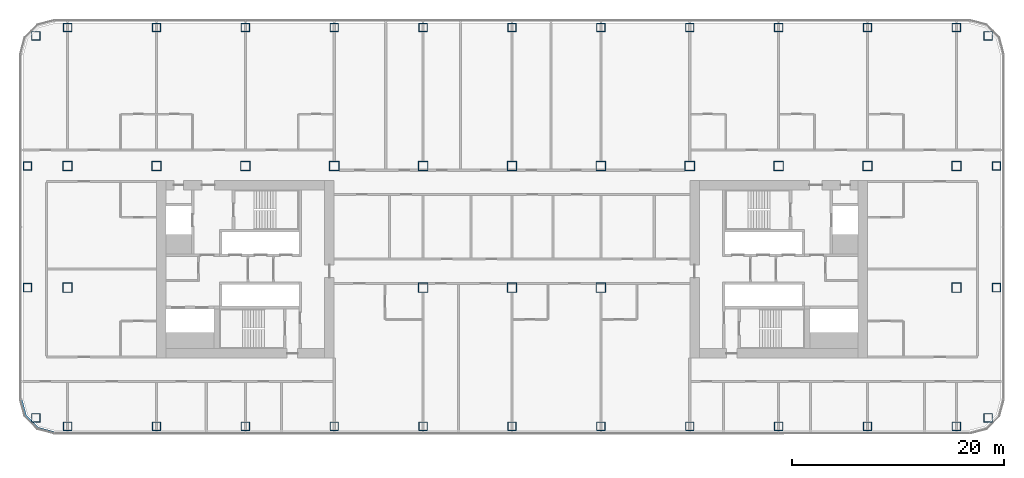
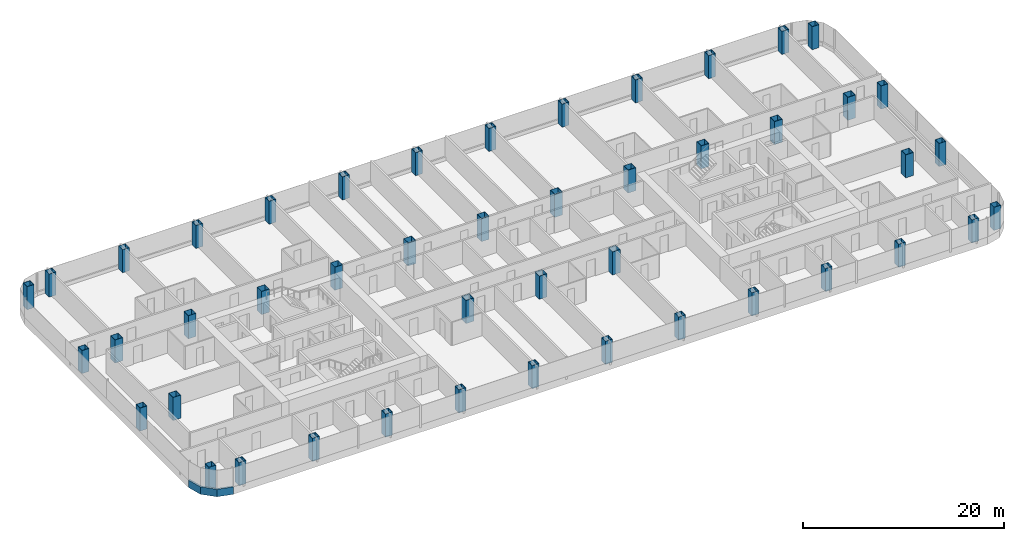
# One storey, part 1 of 29: 46 columns, 1 member, 1 element without a shape of its own.
"""IFC4 building model written with IfcOpenShell, lengths in metres."""

from ifc_helpers import new_model, si_unit, direction, frame, origin, origin_2d, place, context, subcontext, project, spatial, polyline, rectangle, hollow_rectangle, outline, extrude, material, layer, layer_set, material_profile, profile_set, type_object, element, aggregate, save


model = new_model("IFC4")

# Units and contexts
model_context = context("Model", 3, precision=1e-05, world=origin(), true_north=direction((0.0, 1.0)))
body_context = subcontext(model_context, "Body", "Model", "MODEL_VIEW")
ifc_project = project(units=[si_unit("LENGTHUNIT", "METRE"), si_unit("AREAUNIT", "SQUARE_METRE"), si_unit("VOLUMEUNIT", "CUBIC_METRE"), si_unit("PLANEANGLEUNIT", "RADIAN"), si_unit("MASSUNIT", "GRAM", prefix="KILO")], contexts=[model_context])

# Site, building, storey
site_placement = place(None, origin())
site = spatial("IfcSite", under=ifc_project, at=site_placement, CompositionType="ELEMENT")
building_placement = place(site_placement, origin())
building = spatial("IfcBuilding", under=site, at=building_placement, Name="Hakoniwa Tower and Hamabe Station Hall", CompositionType="ELEMENT")
storey_placement = place(building_placement, frame((0.0, 0.0, 75.39990234375)))
storey = spatial("IfcBuildingStorey", under=building, at=storey_placement, Name="L20", CompositionType="ELEMENT", Elevation=75.39990234375)

# Columns
ifc_material_1 = material(Name="Steel SN490C", Category="steel")
ifc_material_profile_1 = material_profile(ifc_material_1, hollow_rectangle(XDim=0.800048828125, YDim=0.800048828125, WallThickness=0.031982421875, at=origin_2d()), Name="BX-800x800x32")
ifc_profile_set_1 = profile_set([ifc_material_profile_1], Name="Steel SN490C")
column_type_1 = type_object("IfcColumnType", Name="COLUMN BX-800x800x32", PredefinedType="COLUMN", material=ifc_profile_set_1)
for number, where, z_axis, x_axis, name in (
    (1, (-45.003173828125, -14.052978515625, 0.0), (0.0, 0.0, 1.0), (1.0, 0.0, 0.0), "Column B2-EW-A2"),
    (2, (-45.800048828125, -1.75, 0.0), (0.0, 0.0, 1.0), (1.0, 0.0, 0.0), "Column B2-EW-C2"),
    (3, (-45.800048828125, 9.75, 0.0), (0.0, 0.0, 1.0), (1.0, 0.0, 0.0), "Column B2-EW-E2"),
    (4, (-45.003173828125, 22.052978515625, 0.0), (0.0, 0.0, 1.0), (1.0, 0.0, 0.0), "Column B2-EW-G2"),
    (5, (-42.0, -14.85009765625, 0.0), (0.0, 0.0, 1.0), (1.0, 0.0, 0.0), "Column B2-2-A2"),
    (6, (-42.0, 22.85009765625, 0.0), (0.0, 0.0, 1.0), (1.0, 0.0, 0.0), "Column B2-2-G2"),
    (7, (-33.60009765625, -14.85009765625, 0.0), (0.0, 0.0, 1.0), (1.0, 0.0, 0.0), "Column B2-3-A2"),
    (8, (-33.60009765625, 22.85009765625, 0.0), (0.0, 0.0, 1.0), (1.0, 0.0, 0.0), "Column B2-3-G2"),
    (9, (-25.199951171875, -14.85009765625, 0.0), (0.0, 0.0, 1.0), (1.0, 0.0, 0.0), "Column B2-4-A2"),
    (10, (-25.199951171875, 22.85009765625, 0.0), (0.0, 0.0, 1.0), (1.0, 0.0, 0.0), "Column B2-4-G2"),
    (11, (-16.800048828125, -14.85009765625, 0.0), (0.0, 0.0, 1.0), (1.0, 0.0, 0.0), "Column B2-5-A2"),
    (12, (-16.800048828125, 22.85009765625, 0.0), (0.0, 0.0, 1.0), (1.0, 0.0, 0.0), "Column B2-5-G2"),
    (13, (-8.39990234375, -14.85009765625, 0.0), (0.0, 0.0, 1.0), (1.0, 0.0, 0.0), "Column B2-6-A2"),
    (14, (-8.39990234375, 22.85009765625, 0.0), (0.0, 0.0, 1.0), (1.0, 0.0, 0.0), "Column B2-6-G2"),
    (15, (0.0, -14.85009765625, 0.0), (0.0, 0.0, 1.0), (1.0, 0.0, 0.0), "Column B2-7-A2"),
    (16, (0.0, 22.85009765625, 0.0), (0.0, 0.0, 1.0), (1.0, 0.0, 0.0), "Column B2-7-G2"),
    (17, (8.39990234375, -14.85009765625, 0.0), (0.0, 0.0, 1.0), (1.0, 0.0, 0.0), "Column B2-8-A2"),
    (18, (8.39990234375, 22.85009765625, 0.0), (0.0, 0.0, 1.0), (1.0, 0.0, 0.0), "Column B2-8-G2"),
    (19, (16.800048828125, -14.85009765625, 0.0), (0.0, 0.0, 1.0), (1.0, 0.0, 0.0), "Column B2-9-A2"),
    (20, (16.800048828125, 22.85009765625, 0.0), (0.0, 0.0, 1.0), (1.0, 0.0, 0.0), "Column B2-9-G2"),
    (21, (25.199951171875, -14.85009765625, 0.0), (0.0, 0.0, 1.0), (1.0, 0.0, 0.0), "Column B2-10-A2"),
    (22, (25.199951171875, 22.85009765625, 0.0), (0.0, 0.0, 1.0), (1.0, 0.0, 0.0), "Column B2-10-G2"),
    (23, (33.60009765625, -14.85009765625, 0.0), (0.0, 0.0, 1.0), (1.0, 0.0, 0.0), "Column B2-11-A2"),
    (24, (33.60009765625, 22.85009765625, 0.0), (0.0, 0.0, 1.0), (1.0, 0.0, 0.0), "Column B2-11-G2"),
    (25, (42.0, -14.85009765625, 0.0), (0.0, 0.0, 1.0), (1.0, 0.0, 0.0), "Column B2-12-A2"),
    (26, (42.0, 22.85009765625, 0.0), (0.0, 0.0, 1.0), (1.0, 0.0, 0.0), "Column B2-12-G2"),
    (27, (45.003173828125, -14.052978515625, 0.0), (0.0, 0.0, 1.0), (1.0, 0.0, 0.0), "Column B2-EE-A2"),
    (28, (45.800048828125, -1.75, 0.0), (0.0, 0.0, 1.0), (1.0, 0.0, 0.0), "Column B2-EE-C2"),
    (29, (45.800048828125, 9.75, 0.0), (0.0, 0.0, 1.0), (1.0, 0.0, 0.0), "Column B2-EE-E2"),
    (30, (45.003173828125, 22.052978515625, 0.0), (0.0, 0.0, 1.0), (1.0, 0.0, 0.0), "Column B2-EE-G2"),
):
    element("IfcColumn", number, at=place(storey_placement, frame(where, z_axis=z_axis, x_axis=x_axis)), inside=storey, type_object=column_type_1, Name=name, PredefinedType="COLUMN", context=body_context, shape_type="SweptSolid", body=[
        extrude(hollow_rectangle(XDim=0.800048828125, YDim=0.800048828125, WallThickness=0.031982421875, at=origin_2d()), origin(), (0.0, 0.0, 1.0), 2.800048828125),
    ])
ifc_material_2 = material(Name="Steel SN490C", Category="steel")
ifc_material_profile_2 = material_profile(ifc_material_2, hollow_rectangle(XDim=0.89990234375, YDim=0.89990234375, WallThickness=0.035888671875, at=origin_2d()), Name="BX-900x900x36")
ifc_profile_set_2 = profile_set([ifc_material_profile_2], Name="Steel SN490C")
column_type_2 = type_object("IfcColumnType", Name="COLUMN BX-900x900x36", PredefinedType="COLUMN", material=ifc_profile_set_2)
for number, where, z_axis, x_axis, name in (
    (31, (-42.0, -1.75, 0.0), (0.0, 0.0, 1.0), (1.0, 0.0, 0.0), "Column B2-2-C2"),
    (32, (-42.0, 9.75, 0.0), (0.0, 0.0, 1.0), (1.0, 0.0, 0.0), "Column B2-2-E2"),
    (33, (-33.60009765625, 9.75, 0.0), (0.0, 0.0, 1.0), (1.0, 0.0, 0.0), "Column B2-3-E2"),
    (34, (-25.199951171875, 9.75, 0.0), (0.0, 0.0, 1.0), (1.0, 0.0, 0.0), "Column B2-4-E2"),
    (35, (-16.800048828125, 9.75, 0.0), (0.0, 0.0, 1.0), (1.0, 0.0, 0.0), "Column B2-5-E2"),
    (36, (-8.39990234375, -1.75, 0.0), (0.0, 0.0, 1.0), (1.0, 0.0, 0.0), "Column B2-6-C2"),
    (37, (-8.39990234375, 9.75, 0.0), (0.0, 0.0, 1.0), (1.0, 0.0, 0.0), "Column B2-6-E2"),
    (38, (0.0, -1.75, 0.0), (0.0, 0.0, 1.0), (1.0, 0.0, 0.0), "Column B2-7-C2"),
    (39, (0.0, 9.75, 0.0), (0.0, 0.0, 1.0), (1.0, 0.0, 0.0), "Column B2-7-E2"),
    (40, (8.39990234375, -1.75, 0.0), (0.0, 0.0, 1.0), (1.0, 0.0, 0.0), "Column B2-8-C2"),
    (41, (8.39990234375, 9.75, 0.0), (0.0, 0.0, 1.0), (1.0, 0.0, 0.0), "Column B2-8-E2"),
    (42, (16.800048828125, 9.75, 0.0), (0.0, 0.0, 1.0), (1.0, 0.0, 0.0), "Column B2-9-E2"),
    (43, (25.199951171875, 9.75, 0.0), (0.0, 0.0, 1.0), (1.0, 0.0, 0.0), "Column B2-10-E2"),
    (44, (33.60009765625, 9.75, 0.0), (0.0, 0.0, 1.0), (1.0, 0.0, 0.0), "Column B2-11-E2"),
    (45, (42.0, -1.75, 0.0), (0.0, 0.0, 1.0), (1.0, 0.0, 0.0), "Column B2-12-C2"),
    (46, (42.0, 9.75, 0.0), (0.0, 0.0, 1.0), (1.0, 0.0, 0.0), "Column B2-12-E2"),
):
    element("IfcColumn", number, at=place(storey_placement, frame(where, z_axis=z_axis, x_axis=x_axis)), inside=storey, type_object=column_type_2, Name=name, PredefinedType="COLUMN", context=body_context, shape_type="SweptSolid", body=[
        extrude(hollow_rectangle(XDim=0.89990234375, YDim=0.89990234375, WallThickness=0.035888671875, at=origin_2d()), origin(), (0.0, 0.0, 1.0), 2.800048828125),
    ])

# Curtain wall, member
ifc_material_3 = material(Name="Dark low-e laminated glass", Category="glass")
ifc_layer = layer(ifc_material_3, 0.199951171875)
ifc_layer_set = layer_set([ifc_layer], Name="CW-1 UNITISED GUEST")
curtain_wall_type = type_object("IfcCurtainWallType", Name="CW-1 UNITISED GUEST", PredefinedType="NOTDEFINED", material=ifc_layer_set)
curtain_wall_placement = place(storey_placement, origin())
curtain_wall = element("IfcCurtainWall", 47, at=curtain_wall_placement, inside=storey, type_object=curtain_wall_type, Name="CW-1 curtain wall", PredefinedType="NOTDEFINED")
ifc_material_4 = material(Name="Aluminium 6063-T5 black anodised", Category="aluminium")
ifc_material_profile_3 = material_profile(ifc_material_4, rectangle(XDim=0.199951171875, YDim=0.89990234375, at=origin_2d()), Name="CW SLAB-EDGE BAND 900X200")
ifc_profile_set_3 = profile_set([ifc_material_profile_3], Name="Aluminium 6063-T5 black anodised")
member_type = type_object("IfcMemberType", Name="CW SLAB-EDGE BAND 900X200", PredefinedType="USERDEFINED", material=ifc_profile_set_3)
member_placement = place(storey_placement, frame((0.0, 0.0, -0.5498046875)))
member = element("IfcMember", 48, at=member_placement, type_object=member_type, Name="CW-1 transom", ObjectType="TRANSOM", PredefinedType="USERDEFINED", context=body_context, shape_type="SweptSolid", body=[
    extrude(outline(polyline([(-46.5, -12.28955078125), (-46.067138671875, -13.9052734375), (-44.855224609375, -15.116943359375), (-43.239501953125, -15.550048828125), (-43.187744140625, -15.35693359375), (-44.751708984375, -14.937744140625), (-45.8876953125, -13.8017578125), (-46.306884765625, -12.23779296875), (-46.5, -12.28955078125)])), origin(), (0.0, 0.0, 1.0), 0.89990234375),
])
aggregate(curtain_wall, [member])

save(model, "model.ifc")
